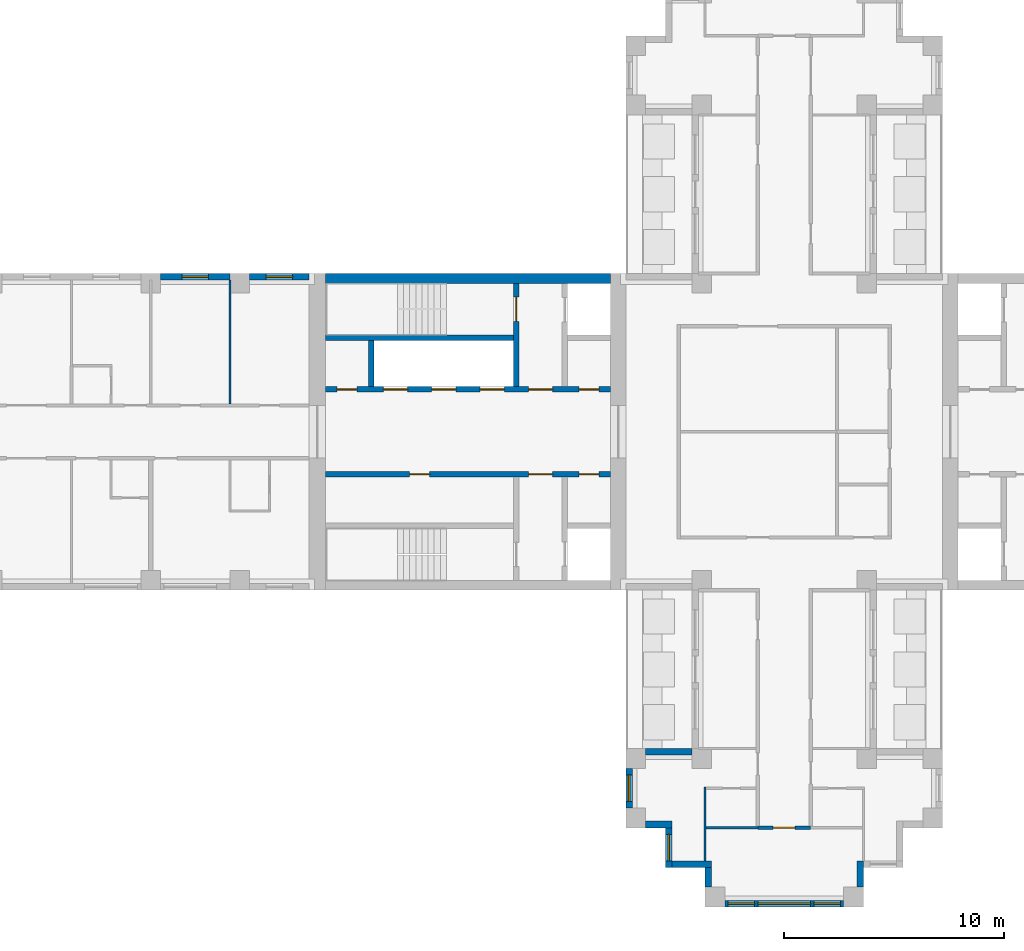
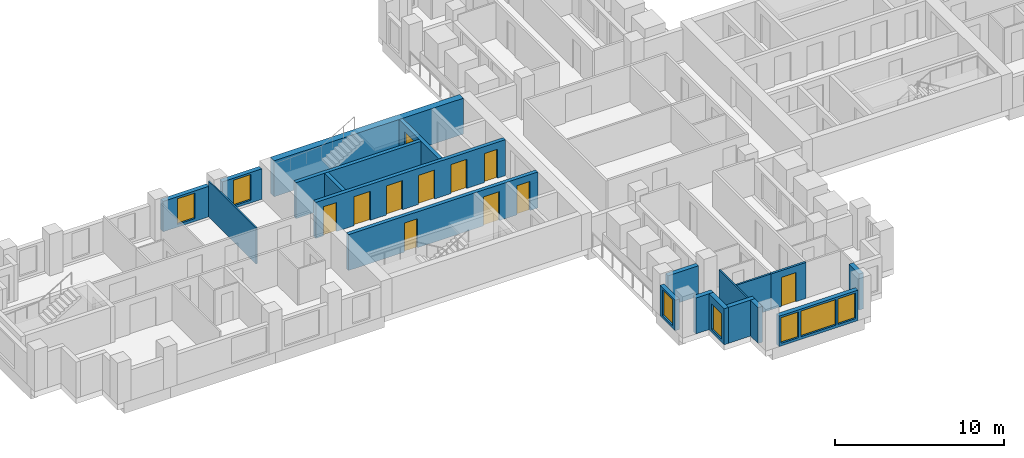
# One storey, part 4 of 12: 20 walls, 11 doors, 7 windows, 18 openings.
"""IFC4 building model written with IfcOpenShell, lengths in metres."""

from ifc_helpers import new_model, si_unit, direction, frame, frame_2d, origin, place, context, subcontext, project, spatial, rectangle, extrude, material, layer, layer_set, type_object, element, fill, save


model = new_model("IFC4")

# Units and contexts
model_context = context("Model", 3, precision=1e-05, world=origin(), true_north=direction((0.0, 1.0)))
body_context = subcontext(model_context, "Body", "Model", "MODEL_VIEW")
ifc_project = project(units=[si_unit("LENGTHUNIT", "METRE"), si_unit("AREAUNIT", "SQUARE_METRE"), si_unit("VOLUMEUNIT", "CUBIC_METRE"), si_unit("PLANEANGLEUNIT", "RADIAN"), si_unit("MASSUNIT", "GRAM", prefix="KILO")], contexts=[model_context])

# Site, building, storey
site_placement = place(None, origin())
site = spatial("IfcSite", under=ifc_project, at=site_placement, CompositionType="ELEMENT")
building_placement = place(site_placement, origin())
building = spatial("IfcBuilding", under=site, at=building_placement, Name="Fustian Cross Tower", CompositionType="ELEMENT")
storey_placement = place(building_placement, frame((0.0, 0.0, 132.300048828125)))
storey = spatial("IfcBuildingStorey", under=building, at=storey_placement, Name="L41", CompositionType="ELEMENT", Elevation=132.300048828125)

# Wall, opening, door
ifc_material_1 = material(Name="Plasterboard on steel stud", Category="steel")
ifc_layer_1 = layer(ifc_material_1, 0.14990234375)
ifc_layer_set_1 = layer_set([ifc_layer_1], Name="Plasterboard on steel stud")
wall_type_1 = type_object("IfcWallType", Name="COMPARTMENT WALL 150 EI 60", PredefinedType="PARTITIONING", material=ifc_layer_set_1)
wall_1_placement = place(storey_placement, frame((-1.199951171875, -18.0, 0.0), z_axis=(0.0, 0.0, 1.0), x_axis=(1.0, 0.0, 0.0)))
wall_1 = element("IfcWall", 1, at=wall_1_placement, inside=storey, type_object=wall_type_1, Name="Partition 30", PredefinedType="PARTITIONING", context=body_context, shape_type="SweptSolid", body=[
    extrude(rectangle(XDim=2.39990234375, YDim=0.14990234375, at=frame_2d((1.199951171875, 0.0))), origin(), (0.0, 0.0, 1.0), 2.599853515625),
])
opening_1_placement = place(wall_1_placement, frame((0.699951171875, 0.0, 0.0)))
opening_1 = element("IfcOpeningElement", 2, at=opening_1_placement, cuts=wall_1, Name="Opening D19030", PredefinedType="OPENING", context=body_context, shape_type="SweptSolid", body=[
    extrude(rectangle(XDim=1.0, YDim=2.10009765625, at=frame_2d((0.5, 1.050048828125))), frame((0.0, 0.0849609375, 0.0), z_axis=(0.0, -1.0, 0.0), x_axis=(1.0, 0.0, 0.0)), (0.0, 0.0, 1.0), 0.169921875),
])
ifc_material_2 = material(Name="Timber fire door set", Category="wood")
door_type_1 = type_object("IfcDoorType", Name="FIRE SWING DOOR 1000 FD30S", OperationType="SINGLE_SWING_LEFT", PredefinedType="DOOR", material=ifc_material_2)
door_1_placement = place(opening_1_placement, frame((1.0, 0.0, 0.0), z_axis=(0.0, 0.0, 1.0), x_axis=(-1.0, 0.0, 0.0)))
door_1 = element("IfcDoor", 3, at=door_1_placement, inside=storey, type_object=door_type_1, Name="Door D19030", OperationType="SINGLE_SWING_RIGHT", OverallHeight=2.10009765625, OverallWidth=1.0, PredefinedType="DOOR", context=body_context, shape_type="SweptSolid", body=[
    extrude(rectangle(XDim=1.0, YDim=2.10009765625, at=frame_2d((0.5, 1.050048828125))), frame((0.0, 0.02490234375, 0.0), z_axis=(0.0, -1.0, 0.0), x_axis=(1.0, 0.0, 0.0)), (0.0, 0.0, 1.0), 0.050048828125),
])
fill(opening_1, door_1)

# Wall
ifc_material_3 = material(Name="Concrete C60/75", Category="concrete")
ifc_layer_2 = layer(ifc_material_3, 0.449951171875)
ifc_layer_set_2 = layer_set([ifc_layer_2], Name="Concrete C60/75")
wall_type_2 = type_object("IfcWallType", Name="CORE FACADE WALL 450 C60/75", PredefinedType="SHEAR", material=ifc_layer_set_2)
wall_2_placement = place(storey_placement, frame((-7.89990234375, 6.97509765625, 0.0), z_axis=(0.0, 0.0, 1.0), x_axis=(-1.0, 0.0, 0.0)))
element("IfcWall", 4, at=wall_2_placement, inside=storey, type_object=wall_type_2, Name="Core facade wall", PredefinedType="SHEAR", context=body_context, shape_type="SweptSolid", body=[
    extrude(rectangle(XDim=12.9501953125, YDim=0.449951171875, at=frame_2d((6.47509765625, 0.0))), origin(), (0.0, 0.0, 1.0), 2.599853515625),
])

# Wall, openings, doors
ifc_material_4 = material(Name="Concrete C50/60", Category="concrete")
ifc_layer_3 = layer(ifc_material_4, 0.25)
ifc_layer_set_3 = layer_set([ifc_layer_3], Name="Concrete C50/60")
wall_type_3 = type_object("IfcWallType", Name="CORE LOBBY WALL 250 C50/60", PredefinedType="SHEAR", material=ifc_layer_set_3)
wall_3_placement = place(storey_placement, frame((-7.89990234375, 1.925048828125, 0.0), z_axis=(0.0, 0.0, 1.0), x_axis=(-1.0, 0.0, 0.0)))
wall_3 = element("IfcWall", 5, at=wall_3_placement, inside=storey, type_object=wall_type_3, Name="Core lobby wall", PredefinedType="SHEAR", context=body_context, shape_type="SweptSolid", body=[
    extrude(rectangle(XDim=12.9501953125, YDim=0.25, at=frame_2d((6.47509765625, 0.0))), origin(), (0.0, 0.0, 1.0), 2.599853515625),
])
opening_2_placement = place(wall_3_placement, frame((4.824951171875, 0.0, 0.0)))
opening_2 = element("IfcOpeningElement", 6, at=opening_2_placement, cuts=wall_3, Name="Opening LD", PredefinedType="OPENING", context=body_context, shape_type="SweptSolid", body=[
    extrude(rectangle(XDim=1.10009765625, YDim=2.10009765625, at=frame_2d((0.550048828125, 1.050048828125))), frame((0.0, 0.135009765625, 0.0), z_axis=(0.0, -1.0, 0.0), x_axis=(1.0, 0.0, 0.0)), (0.0, 0.0, 1.0), 0.27001953125),
])
opening_3_placement = place(wall_3_placement, frame((7.02490234375, 0.0, 0.0)))
opening_3 = element("IfcOpeningElement", 7, at=opening_3_placement, cuts=wall_3, Name="Opening LD", PredefinedType="OPENING", context=body_context, shape_type="SweptSolid", body=[
    extrude(rectangle(XDim=1.10009765625, YDim=2.10009765625, at=frame_2d((0.550048828125, 1.050048828125))), frame((0.0, 0.135009765625, 0.0), z_axis=(0.0, -1.0, 0.0), x_axis=(1.0, 0.0, 0.0)), (0.0, 0.0, 1.0), 0.27001953125),
])
opening_4_placement = place(wall_3_placement, frame((9.22509765625, 0.0, 0.0)))
opening_4 = element("IfcOpeningElement", 8, at=opening_4_placement, cuts=wall_3, Name="Opening LD", PredefinedType="OPENING", context=body_context, shape_type="SweptSolid", body=[
    extrude(rectangle(XDim=1.10009765625, YDim=2.10009765625, at=frame_2d((0.550048828125, 1.050048828125))), frame((0.0, 0.135009765625, 0.0), z_axis=(0.0, -1.0, 0.0), x_axis=(1.0, 0.0, 0.0)), (0.0, 0.0, 1.0), 0.27001953125),
])
opening_5_placement = place(wall_3_placement, frame((0.52490234375, 0.0, 0.0)))
opening_5 = element("IfcOpeningElement", 9, at=opening_5_placement, cuts=wall_3, Name="Opening CD-17-23", PredefinedType="OPENING", context=body_context, shape_type="SweptSolid", body=[
    extrude(rectangle(XDim=0.89990234375, YDim=2.10009765625, at=frame_2d((0.449951171875, 1.050048828125))), frame((0.0, 0.135009765625, 0.0), z_axis=(0.0, -1.0, 0.0), x_axis=(1.0, 0.0, 0.0)), (0.0, 0.0, 1.0), 0.27001953125),
])
opening_6_placement = place(wall_3_placement, frame((2.625, 0.0, 0.0)))
opening_6 = element("IfcOpeningElement", 10, at=opening_6_placement, cuts=wall_3, Name="Opening CD-17-25", PredefinedType="OPENING", context=body_context, shape_type="SweptSolid", body=[
    extrude(rectangle(XDim=1.10009765625, YDim=2.10009765625, at=frame_2d((0.550048828125, 1.050048828125))), frame((0.0, 0.135009765625, 0.0), z_axis=(0.0, -1.0, 0.0), x_axis=(1.0, 0.0, 0.0)), (0.0, 0.0, 1.0), 0.27001953125),
])
opening_7_placement = place(wall_3_placement, frame((11.52490234375, 0.0, 0.0)))
opening_7 = element("IfcOpeningElement", 11, at=opening_7_placement, cuts=wall_3, Name="Opening CD-17-29", PredefinedType="OPENING", context=body_context, shape_type="SweptSolid", body=[
    extrude(rectangle(XDim=0.89990234375, YDim=2.10009765625, at=frame_2d((0.449951171875, 1.050048828125))), frame((0.0, 0.135009765625, 0.0), z_axis=(0.0, -1.0, 0.0), x_axis=(1.0, 0.0, 0.0)), (0.0, 0.0, 1.0), 0.27001953125),
])
ifc_material_5 = material(Name="Steel", Category="steel")
door_type_2 = type_object("IfcDoorType", Name="FIRE DOOR FD30S 900X2100", OperationType="SINGLE_SWING_LEFT", PredefinedType="DOOR", material=ifc_material_5)
door_2_placement = place(opening_7_placement, frame((0.89990234375, 0.0, 0.0), z_axis=(0.0, 0.0, 1.0), x_axis=(-1.0, 0.0, 0.0)))
door_2 = element("IfcDoor", 12, at=door_2_placement, inside=storey, type_object=door_type_2, Name="Core door CD-17-29", OperationType="SINGLE_SWING_RIGHT", OverallHeight=2.10009765625, OverallWidth=0.89990234375, PredefinedType="DOOR", context=body_context, shape_type="SweptSolid", body=[
    extrude(rectangle(XDim=0.89990234375, YDim=2.10009765625, at=frame_2d((0.449951171875, 1.050048828125))), frame((0.0, 0.02490234375, 0.0), z_axis=(0.0, -1.0, 0.0), x_axis=(1.0, 0.0, 0.0)), (0.0, 0.0, 1.0), 0.050048828125),
])
fill(opening_7, door_2)
ifc_material_6 = material(Name="Steel", Category="steel")
door_type_3 = type_object("IfcDoorType", Name="FIRE DOOR FD60S 1100X2100", OperationType="SINGLE_SWING_LEFT", PredefinedType="DOOR", material=ifc_material_6)
door_3_placement = place(opening_6_placement, frame((1.10009765625, 0.0, 0.0), z_axis=(0.0, 0.0, 1.0), x_axis=(-1.0, 0.0, 0.0)))
door_3 = element("IfcDoor", 13, at=door_3_placement, inside=storey, type_object=door_type_3, Name="Core door CD-17-25", OperationType="SINGLE_SWING_RIGHT", OverallHeight=2.10009765625, OverallWidth=1.10009765625, PredefinedType="DOOR", context=body_context, shape_type="SweptSolid", body=[
    extrude(rectangle(XDim=1.10009765625, YDim=2.10009765625, at=frame_2d((0.550048828125, 1.050048828125))), frame((0.0, 0.02490234375, 0.0), z_axis=(0.0, -1.0, 0.0), x_axis=(1.0, 0.0, 0.0)), (0.0, 0.0, 1.0), 0.050048828125),
])
fill(opening_6, door_3)
ifc_material_7 = material(Name="Steel", Category="steel")
door_type_4 = type_object("IfcDoorType", Name="FIRE DOOR FD60S 900X2100", OperationType="SINGLE_SWING_LEFT", PredefinedType="DOOR", material=ifc_material_7)
door_4_placement = place(opening_5_placement, frame((0.89990234375, 0.0, 0.0), z_axis=(0.0, 0.0, 1.0), x_axis=(-1.0, 0.0, 0.0)))
door_4 = element("IfcDoor", 14, at=door_4_placement, inside=storey, type_object=door_type_4, Name="Core door CD-17-23", OperationType="SINGLE_SWING_RIGHT", OverallHeight=2.10009765625, OverallWidth=0.89990234375, PredefinedType="DOOR", context=body_context, shape_type="SweptSolid", body=[
    extrude(rectangle(XDim=0.89990234375, YDim=2.10009765625, at=frame_2d((0.449951171875, 1.050048828125))), frame((0.0, 0.02490234375, 0.0), z_axis=(0.0, -1.0, 0.0), x_axis=(1.0, 0.0, 0.0)), (0.0, 0.0, 1.0), 0.050048828125),
])
fill(opening_5, door_4)
ifc_material_8 = material(Name="Stainless steel", Category="steel")
door_type_5 = type_object("IfcDoorType", Name="LIFT LANDING DOOR 1100X2100", OperationType="SLIDING_TO_LEFT", PredefinedType="DOOR", material=ifc_material_8)
door_5_placement = place(opening_2_placement, origin())
door_5 = element("IfcDoor", 15, at=door_5_placement, inside=storey, type_object=door_type_5, Name="Landing door HR1W", OperationType="SLIDING_TO_LEFT", OverallHeight=2.10009765625, OverallWidth=1.10009765625, PredefinedType="DOOR", context=body_context, shape_type="SweptSolid", body=[
    extrude(rectangle(XDim=1.10009765625, YDim=2.10009765625, at=frame_2d((0.550048828125, 1.050048828125))), frame((0.0, 0.02490234375, 0.0), z_axis=(0.0, -1.0, 0.0), x_axis=(1.0, 0.0, 0.0)), (0.0, 0.0, 1.0), 0.050048828125),
])
fill(opening_2, door_5)
door_6_placement = place(opening_3_placement, origin())
door_6 = element("IfcDoor", 16, at=door_6_placement, inside=storey, type_object=door_type_5, Name="Landing door HR2W", OperationType="SLIDING_TO_LEFT", OverallHeight=2.10009765625, OverallWidth=1.10009765625, PredefinedType="DOOR", context=body_context, shape_type="SweptSolid", body=[
    extrude(rectangle(XDim=1.10009765625, YDim=2.10009765625, at=frame_2d((0.550048828125, 1.050048828125))), frame((0.0, 0.02490234375, 0.0), z_axis=(0.0, -1.0, 0.0), x_axis=(1.0, 0.0, 0.0)), (0.0, 0.0, 1.0), 0.050048828125),
])
fill(opening_3, door_6)
door_7_placement = place(opening_4_placement, origin())
door_7 = element("IfcDoor", 17, at=door_7_placement, inside=storey, type_object=door_type_5, Name="Landing door HR3W", OperationType="SLIDING_TO_LEFT", OverallHeight=2.10009765625, OverallWidth=1.10009765625, PredefinedType="DOOR", context=body_context, shape_type="SweptSolid", body=[
    extrude(rectangle(XDim=1.10009765625, YDim=2.10009765625, at=frame_2d((0.550048828125, 1.050048828125))), frame((0.0, 0.02490234375, 0.0), z_axis=(0.0, -1.0, 0.0), x_axis=(1.0, 0.0, 0.0)), (0.0, 0.0, 1.0), 0.050048828125),
])
fill(opening_4, door_7)

wall_4_placement = place(storey_placement, frame((-7.89990234375, -1.925048828125, 0.0), z_axis=(0.0, 0.0, 1.0), x_axis=(-1.0, 0.0, 0.0)))
wall_4 = element("IfcWall", 18, at=wall_4_placement, inside=storey, type_object=wall_type_3, Name="Core lobby wall", PredefinedType="SHEAR", context=body_context, shape_type="SweptSolid", body=[
    extrude(rectangle(XDim=12.9501953125, YDim=0.25, at=frame_2d((6.47509765625, 0.0))), origin(), (0.0, 0.0, 1.0), 2.599853515625),
])
opening_8_placement = place(wall_4_placement, frame((0.52490234375, 0.0, 0.0)))
opening_8 = element("IfcOpeningElement", 19, at=opening_8_placement, cuts=wall_4, Name="Opening CD-17-24", PredefinedType="OPENING", context=body_context, shape_type="SweptSolid", body=[
    extrude(rectangle(XDim=0.89990234375, YDim=2.10009765625, at=frame_2d((0.449951171875, 1.050048828125))), frame((0.0, 0.135009765625, 0.0), z_axis=(0.0, -1.0, 0.0), x_axis=(1.0, 0.0, 0.0)), (0.0, 0.0, 1.0), 0.27001953125),
])
opening_9_placement = place(wall_4_placement, frame((2.625, 0.0, 0.0)))
opening_9 = element("IfcOpeningElement", 20, at=opening_9_placement, cuts=wall_4, Name="Opening CD-17-26", PredefinedType="OPENING", context=body_context, shape_type="SweptSolid", body=[
    extrude(rectangle(XDim=1.10009765625, YDim=2.10009765625, at=frame_2d((0.550048828125, 1.050048828125))), frame((0.0, 0.135009765625, 0.0), z_axis=(0.0, -1.0, 0.0), x_axis=(1.0, 0.0, 0.0)), (0.0, 0.0, 1.0), 0.27001953125),
])
opening_10_placement = place(wall_4_placement, frame((8.22509765625, 0.0, 0.0)))
opening_10 = element("IfcOpeningElement", 21, at=opening_10_placement, cuts=wall_4, Name="Opening CD-17-30", PredefinedType="OPENING", context=body_context, shape_type="SweptSolid", body=[
    extrude(rectangle(XDim=0.89990234375, YDim=2.10009765625, at=frame_2d((0.449951171875, 1.050048828125))), frame((0.0, 0.135009765625, 0.0), z_axis=(0.0, -1.0, 0.0), x_axis=(1.0, 0.0, 0.0)), (0.0, 0.0, 1.0), 0.27001953125),
])
ifc_material_9 = material(Name="Steel", Category="steel")
door_type_6 = type_object("IfcDoorType", Name="FIRE DOOR FD30S 1100X2100", OperationType="SINGLE_SWING_LEFT", PredefinedType="DOOR", material=ifc_material_9)
door_8_placement = place(opening_9_placement, frame((1.10009765625, 0.0, 0.0), z_axis=(0.0, 0.0, 1.0), x_axis=(-1.0, 0.0, 0.0)))
door_8 = element("IfcDoor", 22, at=door_8_placement, inside=storey, type_object=door_type_6, Name="Core door CD-17-26", OperationType="SINGLE_SWING_RIGHT", OverallHeight=2.10009765625, OverallWidth=1.10009765625, PredefinedType="DOOR", context=body_context, shape_type="SweptSolid", body=[
    extrude(rectangle(XDim=1.10009765625, YDim=2.10009765625, at=frame_2d((0.550048828125, 1.050048828125))), frame((0.0, 0.02490234375, 0.0), z_axis=(0.0, -1.0, 0.0), x_axis=(1.0, 0.0, 0.0)), (0.0, 0.0, 1.0), 0.050048828125),
])
fill(opening_9, door_8)
door_9_placement = place(opening_8_placement, origin())
door_9 = element("IfcDoor", 23, at=door_9_placement, inside=storey, type_object=door_type_2, Name="Core door CD-17-24", OperationType="SINGLE_SWING_LEFT", OverallHeight=2.10009765625, OverallWidth=0.89990234375, PredefinedType="DOOR", context=body_context, shape_type="SweptSolid", body=[
    extrude(rectangle(XDim=0.89990234375, YDim=2.10009765625, at=frame_2d((0.449951171875, 1.050048828125))), frame((0.0, 0.02490234375, 0.0), z_axis=(0.0, -1.0, 0.0), x_axis=(1.0, 0.0, 0.0)), (0.0, 0.0, 1.0), 0.050048828125),
])
fill(opening_8, door_9)
door_10_placement = place(opening_10_placement, origin())
door_10 = element("IfcDoor", 24, at=door_10_placement, inside=storey, type_object=door_type_2, Name="Core door CD-17-30", OperationType="SINGLE_SWING_RIGHT", OverallHeight=2.10009765625, OverallWidth=0.89990234375, PredefinedType="DOOR", context=body_context, shape_type="SweptSolid", body=[
    extrude(rectangle(XDim=0.89990234375, YDim=2.10009765625, at=frame_2d((0.449951171875, 1.050048828125))), frame((0.0, 0.02490234375, 0.0), z_axis=(0.0, -1.0, 0.0), x_axis=(1.0, 0.0, 0.0)), (0.0, 0.0, 1.0), 0.050048828125),
])
fill(opening_10, door_10)

# Wall
ifc_material_10 = material(Name="Concrete C50/60", Category="concrete")
ifc_layer_4 = layer(ifc_material_10, 0.25)
ifc_layer_set_4 = layer_set([ifc_layer_4], Name="Concrete C50/60")
wall_type_4 = type_object("IfcWallType", Name="CORE SHAFT WALL 250 C50/60", PredefinedType="SHEAR", material=ifc_layer_set_4)
wall_5_placement = place(storey_placement, frame((-12.300048828125, 4.27490234375, 0.0), z_axis=(0.0, 0.0, 1.0), x_axis=(-1.0, 0.0, 0.0)))
element("IfcWall", 25, at=wall_5_placement, inside=storey, type_object=wall_type_4, Name="Core shaft wall", PredefinedType="SHEAR", context=body_context, shape_type="SweptSolid", body=[
    extrude(rectangle(XDim=8.550048828125, YDim=0.25, at=frame_2d((4.27490234375, 0.0))), origin(), (0.0, 0.0, 1.0), 2.599853515625),
])

# Wall, opening, door
wall_6_placement = place(storey_placement, frame((-12.175048828125, 2.050048828125, 0.0), z_axis=(0.0, 0.0, 1.0), x_axis=(0.0, 1.0, 0.0)))
wall_6 = element("IfcWall", 26, at=wall_6_placement, inside=storey, type_object=wall_type_4, Name="Core shaft wall", PredefinedType="SHEAR", context=body_context, shape_type="SweptSolid", body=[
    extrude(rectangle(XDim=4.699951171875, YDim=0.25, at=frame_2d((2.35009765625, 0.0))), origin(), (0.0, 0.0, 1.0), 2.599853515625),
])
opening_11_placement = place(wall_6_placement, frame((2.97509765625, 0.0, 0.0)))
opening_11 = element("IfcOpeningElement", 27, at=opening_11_placement, cuts=wall_6, Name="Opening CD-17-21", PredefinedType="OPENING", context=body_context, shape_type="SweptSolid", body=[
    extrude(rectangle(XDim=1.10009765625, YDim=2.10009765625, at=frame_2d((0.550048828125, 1.050048828125))), frame((0.0, 0.135009765625, 0.0), z_axis=(0.0, -1.0, 0.0), x_axis=(1.0, 0.0, 0.0)), (0.0, 0.0, 1.0), 0.27001953125),
])
door_11_placement = place(opening_11_placement, origin())
door_11 = element("IfcDoor", 28, at=door_11_placement, inside=storey, type_object=door_type_3, Name="Core door CD-17-21", OperationType="SINGLE_SWING_LEFT", OverallHeight=2.10009765625, OverallWidth=1.10009765625, PredefinedType="DOOR", context=body_context, shape_type="SweptSolid", body=[
    extrude(rectangle(XDim=1.10009765625, YDim=2.10009765625, at=frame_2d((0.550048828125, 1.050048828125))), frame((0.0, 0.02490234375, 0.0), z_axis=(0.0, -1.0, 0.0), x_axis=(1.0, 0.0, 0.0)), (0.0, 0.0, 1.0), 0.050048828125),
])
fill(opening_11, door_11)

# Walls
ifc_material_11 = material(Name="Plasterboard on steel stud", Category="steel")
ifc_layer_5 = layer(ifc_material_11, 0.10009765625)
ifc_layer_set_5 = layer_set([ifc_layer_5], Name="Plasterboard on steel stud")
wall_type_5 = type_object("IfcWallType", Name="PARTITION 100 STUD", PredefinedType="PARTITIONING", material=ifc_layer_set_5)
wall_7_placement = place(storey_placement, frame((-25.199951171875, 1.27490234375, 0.0), z_axis=(0.0, 0.0, 1.0), x_axis=(0.0, 1.0, 0.0)))
element("IfcWall", 29, at=wall_7_placement, inside=storey, type_object=wall_type_5, Name="Partition 14", PredefinedType="PARTITIONING", context=body_context, shape_type="SweptSolid", body=[
    extrude(rectangle(XDim=5.625, YDim=0.10009765625, at=frame_2d((2.8125, 0.0))), origin(), (0.0, 0.0, 1.0), 2.599853515625),
])
wall_8_placement = place(storey_placement, frame((-3.60009765625, -19.5, 0.0), z_axis=(0.0, 0.0, 1.0), x_axis=(0.0, 1.0, 0.0)))
element("IfcWall", 30, at=wall_8_placement, inside=storey, type_object=wall_type_5, Name="Partition 24", PredefinedType="PARTITIONING", context=body_context, shape_type="SweptSolid", body=[
    extrude(rectangle(XDim=3.35009765625, YDim=0.10009765625, at=frame_2d((1.675048828125, 0.0))), origin(), (0.0, 0.0, 1.0), 2.599853515625),
])
ifc_material_12 = material(Name="Concrete C40/50", Category="concrete")
ifc_layer_6 = layer(ifc_material_12, 0.25)
ifc_layer_set_6 = layer_set([ifc_layer_6], Name="Concrete C40/50")
wall_type_6 = type_object("IfcWallType", Name="SHAFT PARTITION WALL 250 C40/50", PredefinedType="PARTITIONING", material=ifc_layer_set_6)
wall_9_placement = place(storey_placement, frame((-18.77490234375, 2.050048828125, 0.0), z_axis=(0.0, 0.0, 1.0), x_axis=(0.0, 1.0, 0.0)))
element("IfcWall", 31, at=wall_9_placement, inside=storey, type_object=wall_type_6, Name="Core shaft wall", PredefinedType="PARTITIONING", context=body_context, shape_type="SweptSolid", body=[
    extrude(rectangle(XDim=2.099853515625, YDim=0.25, at=frame_2d((1.0498046875, 0.0))), origin(), (0.0, 0.0, 1.0), 2.599853515625),
])
ifc_material_13 = material(Name="Plasterboard on steel stud", Category="steel")
ifc_layer_7 = layer(ifc_material_13, 0.125)
ifc_layer_set_7 = layer_set([ifc_layer_7], Name="Plasterboard on steel stud")
wall_type_7 = type_object("IfcWallType", Name="WET WALL 125 STUD", PredefinedType="PARTITIONING", material=ifc_layer_set_7)
wall_10_placement = place(storey_placement, frame((-3.550048828125, -18.0, 0.0), z_axis=(0.0, 0.0, 1.0), x_axis=(1.0, 0.0, 0.0)))
element("IfcWall", 32, at=wall_10_placement, inside=storey, type_object=wall_type_7, Name="Partition 25", PredefinedType="PARTITIONING", context=body_context, shape_type="SweptSolid", body=[
    extrude(rectangle(XDim=2.35009765625, YDim=0.125, at=frame_2d((1.175048828125, 0.0))), origin(), (0.0, 0.0, 1.0), 2.599853515625),
])

# Wall, opening, window
ifc_material_14 = material(Name="Dark aluminium cladding on insulated backing wall", Category="aluminium")
ifc_layer_8 = layer(ifc_material_14, 0.300048828125)
ifc_layer_set_8 = layer_set([ifc_layer_8], Name="Dark aluminium cladding on insulated backing wall")
wall_type_8 = type_object("IfcWallType", Name="XW1 EXTERNAL WALL 300", PredefinedType="SOLIDWALL", material=ifc_layer_set_8)
wall_11_placement = place(storey_placement, frame((-21.60009765625, 7.050048828125, 0.0), z_axis=(0.0, 0.0, 1.0), x_axis=(-1.0, 0.0, 0.0)))
wall_11 = element("IfcWall", 33, at=wall_11_placement, inside=storey, type_object=wall_type_8, Name="External wall", PredefinedType="SOLIDWALL", context=body_context, shape_type="SweptSolid", body=[
    extrude(rectangle(XDim=2.699951171875, YDim=0.300048828125, at=frame_2d((1.35009765625, 0.0))), origin(), (0.0, 0.0, 1.0), 2.199951171875),
])
opening_12_placement = place(wall_11_placement, frame((0.75, 0.0, 0.199951171875)))
opening_12 = element("IfcOpeningElement", 34, at=opening_12_placement, cuts=wall_11, Name="Opening WN3", PredefinedType="OPENING", context=body_context, shape_type="SweptSolid", body=[
    extrude(rectangle(XDim=1.199951171875, YDim=1.85009765625, at=frame_2d((0.60009765625, 0.925048828125))), frame((0.0, 0.159912109375, 0.0), z_axis=(0.0, -1.0, 0.0), x_axis=(1.0, 0.0, 0.0)), (0.0, 0.0, 1.0), 0.320068359375),
])
ifc_material_15 = material(Name="Dark anodised aluminium and double glazing", Category="aluminium")
window_type_1 = type_object("IfcWindowType", Name="WN3 WINDOW 1200X1850", PartitioningType="SINGLE_PANEL", PredefinedType="WINDOW", material=ifc_material_15)
window_1_placement = place(opening_12_placement, origin())
window_1 = element("IfcWindow", 35, at=window_1_placement, inside=storey, type_object=window_type_1, Name="Window", OverallHeight=1.85009765625, OverallWidth=1.199951171875, PartitioningType="SINGLE_PANEL", PredefinedType="WINDOW", context=body_context, shape_type="SweptSolid", body=[
    extrude(rectangle(XDim=1.199951171875, YDim=1.85009765625, at=frame_2d((0.60009765625, 0.925048828125))), frame((0.0, 0.030029296875, 0.0), z_axis=(0.0, -1.0, 0.0), x_axis=(1.0, 0.0, 0.0)), (0.0, 0.0, 1.0), 0.06005859375),
])
fill(opening_12, window_1)

wall_12_placement = place(storey_placement, frame((-25.199951171875, 7.050048828125, 0.0), z_axis=(0.0, 0.0, 1.0), x_axis=(-1.0, 0.0, 0.0)))
wall_12 = element("IfcWall", 36, at=wall_12_placement, inside=storey, type_object=wall_type_8, Name="External wall", PredefinedType="SOLIDWALL", context=body_context, shape_type="SweptSolid", body=[
    extrude(rectangle(XDim=3.150146484375, YDim=0.300048828125, at=frame_2d((1.5751953125, 0.0))), origin(), (0.0, 0.0, 1.0), 2.199951171875),
])
opening_13_placement = place(wall_12_placement, frame((0.97509765625, 0.0, 0.199951171875)))
opening_13 = element("IfcOpeningElement", 37, at=opening_13_placement, cuts=wall_12, Name="Opening WN3", PredefinedType="OPENING", context=body_context, shape_type="SweptSolid", body=[
    extrude(rectangle(XDim=1.199951171875, YDim=1.85009765625, at=frame_2d((0.60009765625, 0.925048828125))), frame((0.0, 0.159912109375, 0.0), z_axis=(0.0, -1.0, 0.0), x_axis=(1.0, 0.0, 0.0)), (0.0, 0.0, 1.0), 0.320068359375),
])
window_2_placement = place(opening_13_placement, origin())
window_2 = element("IfcWindow", 38, at=window_2_placement, inside=storey, type_object=window_type_1, Name="Window", OverallHeight=1.85009765625, OverallWidth=1.199951171875, PartitioningType="SINGLE_PANEL", PredefinedType="WINDOW", context=body_context, shape_type="SweptSolid", body=[
    extrude(rectangle(XDim=1.199951171875, YDim=1.85009765625, at=frame_2d((0.60009765625, 0.925048828125))), frame((0.0, 0.030029296875, 0.0), z_axis=(0.0, -1.0, 0.0), x_axis=(1.0, 0.0, 0.0)), (0.0, 0.0, 1.0), 0.06005859375),
])
fill(opening_13, window_2)

# Wall
wall_13_placement = place(storey_placement, frame((-4.199951171875, -14.550048828125, 0.0), z_axis=(0.0, 0.0, 1.0), x_axis=(-1.0, 0.0, 0.0)))
element("IfcWall", 39, at=wall_13_placement, inside=storey, type_object=wall_type_8, Name="External wall", PredefinedType="SOLIDWALL", context=body_context, shape_type="SweptSolid", body=[
    extrude(rectangle(XDim=2.10009765625, YDim=0.300048828125, at=frame_2d((1.050048828125, 0.0))), origin(), (0.0, 0.0, 1.0), 2.199951171875),
])

# Wall, opening, window
wall_14_placement = place(storey_placement, frame((-7.050048828125, -15.300048828125, 0.0), z_axis=(0.0, 0.0, 1.0), x_axis=(0.0, -1.0, 0.0)))
wall_14 = element("IfcWall", 40, at=wall_14_placement, inside=storey, type_object=wall_type_8, Name="External wall", PredefinedType="SOLIDWALL", context=body_context, shape_type="SweptSolid", body=[
    extrude(rectangle(XDim=1.800048828125, YDim=0.300048828125, at=frame_2d((0.89990234375, 0.0))), origin(), (0.0, 0.0, 1.0), 2.199951171875),
])
opening_14_placement = place(wall_14_placement, frame((0.300048828125, 0.0, 0.199951171875)))
opening_14 = element("IfcOpeningElement", 41, at=opening_14_placement, cuts=wall_14, Name="Opening WN3", PredefinedType="OPENING", context=body_context, shape_type="SweptSolid", body=[
    extrude(rectangle(XDim=1.199951171875, YDim=1.85009765625, at=frame_2d((0.60009765625, 0.925048828125))), frame((0.0, 0.159912109375, 0.0), z_axis=(0.0, -1.0, 0.0), x_axis=(1.0, 0.0, 0.0)), (0.0, 0.0, 1.0), 0.320068359375),
])
window_3_placement = place(opening_14_placement, origin())
window_3 = element("IfcWindow", 42, at=window_3_placement, inside=storey, type_object=window_type_1, Name="Window", OverallHeight=1.85009765625, OverallWidth=1.199951171875, PartitioningType="SINGLE_PANEL", PredefinedType="WINDOW", context=body_context, shape_type="SweptSolid", body=[
    extrude(rectangle(XDim=1.199951171875, YDim=1.85009765625, at=frame_2d((0.60009765625, 0.925048828125))), frame((0.0, 0.030029296875, 0.0), z_axis=(0.0, -1.0, 0.0), x_axis=(1.0, 0.0, 0.0)), (0.0, 0.0, 1.0), 0.06005859375),
])
fill(opening_14, window_3)

# Wall
wall_15_placement = place(storey_placement, frame((-6.300048828125, -17.85009765625, 0.0), z_axis=(0.0, 0.0, 1.0), x_axis=(1.0, 0.0, 0.0)))
element("IfcWall", 43, at=wall_15_placement, inside=storey, type_object=wall_type_8, Name="External wall", PredefinedType="SOLIDWALL", context=body_context, shape_type="SweptSolid", body=[
    extrude(rectangle(XDim=1.199951171875, YDim=0.300048828125, at=frame_2d((0.60009765625, 0.0))), origin(), (0.0, 0.0, 1.0), 2.599853515625),
])

# Wall, opening, window
wall_16_placement = place(storey_placement, frame((-5.25, -18.0, 0.0), z_axis=(0.0, 0.0, 1.0), x_axis=(0.0, -1.0, 0.0)))
wall_16 = element("IfcWall", 44, at=wall_16_placement, inside=storey, type_object=wall_type_8, Name="External wall", PredefinedType="SOLIDWALL", context=body_context, shape_type="SweptSolid", body=[
    extrude(rectangle(XDim=1.800048828125, YDim=0.300048828125, at=frame_2d((0.89990234375, 0.0))), origin(), (0.0, 0.0, 1.0), 2.599853515625),
])
opening_15_placement = place(wall_16_placement, frame((0.300048828125, 0.0, 0.199951171875)))
opening_15 = element("IfcOpeningElement", 45, at=opening_15_placement, cuts=wall_16, Name="Opening WN3", PredefinedType="OPENING", context=body_context, shape_type="SweptSolid", body=[
    extrude(rectangle(XDim=1.199951171875, YDim=1.85009765625, at=frame_2d((0.60009765625, 0.925048828125))), frame((0.0, 0.159912109375, 0.0), z_axis=(0.0, -1.0, 0.0), x_axis=(1.0, 0.0, 0.0)), (0.0, 0.0, 1.0), 0.320068359375),
])
window_4_placement = place(opening_15_placement, origin())
window_4 = element("IfcWindow", 46, at=window_4_placement, inside=storey, type_object=window_type_1, Name="Window", OverallHeight=1.85009765625, OverallWidth=1.199951171875, PartitioningType="SINGLE_PANEL", PredefinedType="WINDOW", context=body_context, shape_type="SweptSolid", body=[
    extrude(rectangle(XDim=1.199951171875, YDim=1.85009765625, at=frame_2d((0.60009765625, 0.925048828125))), frame((0.0, 0.030029296875, 0.0), z_axis=(0.0, -1.0, 0.0), x_axis=(1.0, 0.0, 0.0)), (0.0, 0.0, 1.0), 0.06005859375),
])
fill(opening_15, window_4)

# Walls
wall_17_placement = place(storey_placement, frame((-5.10009765625, -19.64990234375, 0.0), z_axis=(0.0, 0.0, 1.0), x_axis=(1.0, 0.0, 0.0)))
element("IfcWall", 47, at=wall_17_placement, inside=storey, type_object=wall_type_8, Name="External wall", PredefinedType="SOLIDWALL", context=body_context, shape_type="SweptSolid", body=[
    extrude(rectangle(XDim=1.800048828125, YDim=0.300048828125, at=frame_2d((0.89990234375, 0.0))), origin(), (0.0, 0.0, 1.0), 2.599853515625),
])
wall_18_placement = place(storey_placement, frame((-3.449951171875, -19.800048828125, 0.0), z_axis=(0.0, 0.0, 1.0), x_axis=(0.0, -1.0, 0.0)))
element("IfcWall", 48, at=wall_18_placement, inside=storey, type_object=wall_type_8, Name="External wall", PredefinedType="SOLIDWALL", context=body_context, shape_type="SweptSolid", body=[
    extrude(rectangle(XDim=0.89990234375, YDim=0.300048828125, at=frame_2d((0.449951171875, 0.0))), origin(), (0.0, 0.0, 1.0), 2.599853515625),
])

# Wall, openings, windows
wall_19_placement = place(storey_placement, frame((-2.699951171875, -21.449951171875, 0.0), z_axis=(0.0, 0.0, 1.0), x_axis=(1.0, 0.0, 0.0)))
wall_19 = element("IfcWall", 49, at=wall_19_placement, inside=storey, type_object=wall_type_8, Name="External wall", PredefinedType="SOLIDWALL", context=body_context, shape_type="SweptSolid", body=[
    extrude(rectangle(XDim=5.39990234375, YDim=0.300048828125, at=frame_2d((2.699951171875, 0.0))), origin(), (0.0, 0.0, 1.0), 2.199951171875),
])
opening_16_placement = place(wall_19_placement, frame((1.5, 0.0, 0.199951171875)))
opening_16 = element("IfcOpeningElement", 50, at=opening_16_placement, cuts=wall_19, Name="Opening WN1", PredefinedType="OPENING", context=body_context, shape_type="SweptSolid", body=[
    extrude(rectangle(XDim=2.39990234375, YDim=1.85009765625, at=frame_2d((1.199951171875, 0.925048828125))), frame((0.0, 0.159912109375, 0.0), z_axis=(0.0, -1.0, 0.0), x_axis=(1.0, 0.0, 0.0)), (0.0, 0.0, 1.0), 0.320068359375),
])
opening_17_placement = place(wall_19_placement, frame((0.14990234375, 0.0, 0.199951171875)))
opening_17 = element("IfcOpeningElement", 51, at=opening_17_placement, cuts=wall_19, Name="Opening WN3", PredefinedType="OPENING", context=body_context, shape_type="SweptSolid", body=[
    extrude(rectangle(XDim=1.199951171875, YDim=1.85009765625, at=frame_2d((0.60009765625, 0.925048828125))), frame((0.0, 0.159912109375, 0.0), z_axis=(0.0, -1.0, 0.0), x_axis=(1.0, 0.0, 0.0)), (0.0, 0.0, 1.0), 0.320068359375),
])
opening_18_placement = place(wall_19_placement, frame((4.050048828125, 0.0, 0.199951171875)))
opening_18 = element("IfcOpeningElement", 52, at=opening_18_placement, cuts=wall_19, Name="Opening WN3", PredefinedType="OPENING", context=body_context, shape_type="SweptSolid", body=[
    extrude(rectangle(XDim=1.199951171875, YDim=1.85009765625, at=frame_2d((0.60009765625, 0.925048828125))), frame((0.0, 0.159912109375, 0.0), z_axis=(0.0, -1.0, 0.0), x_axis=(1.0, 0.0, 0.0)), (0.0, 0.0, 1.0), 0.320068359375),
])
ifc_material_16 = material(Name="Dark anodised aluminium and double glazing", Category="aluminium")
window_type_2 = type_object("IfcWindowType", Name="WN1 WINDOW 2400X1850", PartitioningType="SINGLE_PANEL", PredefinedType="WINDOW", material=ifc_material_16)
window_5_placement = place(opening_16_placement, origin())
window_5 = element("IfcWindow", 53, at=window_5_placement, inside=storey, type_object=window_type_2, Name="Window", OverallHeight=1.85009765625, OverallWidth=2.39990234375, PartitioningType="SINGLE_PANEL", PredefinedType="WINDOW", context=body_context, shape_type="SweptSolid", body=[
    extrude(rectangle(XDim=2.39990234375, YDim=1.85009765625, at=frame_2d((1.199951171875, 0.925048828125))), frame((0.0, 0.030029296875, 0.0), z_axis=(0.0, -1.0, 0.0), x_axis=(1.0, 0.0, 0.0)), (0.0, 0.0, 1.0), 0.06005859375),
])
fill(opening_16, window_5)
window_6_placement = place(opening_17_placement, origin())
window_6 = element("IfcWindow", 54, at=window_6_placement, inside=storey, type_object=window_type_1, Name="Window", OverallHeight=1.85009765625, OverallWidth=1.199951171875, PartitioningType="SINGLE_PANEL", PredefinedType="WINDOW", context=body_context, shape_type="SweptSolid", body=[
    extrude(rectangle(XDim=1.199951171875, YDim=1.85009765625, at=frame_2d((0.60009765625, 0.925048828125))), frame((0.0, 0.030029296875, 0.0), z_axis=(0.0, -1.0, 0.0), x_axis=(1.0, 0.0, 0.0)), (0.0, 0.0, 1.0), 0.06005859375),
])
fill(opening_17, window_6)
window_7_placement = place(opening_18_placement, origin())
window_7 = element("IfcWindow", 55, at=window_7_placement, inside=storey, type_object=window_type_1, Name="Window", OverallHeight=1.85009765625, OverallWidth=1.199951171875, PartitioningType="SINGLE_PANEL", PredefinedType="WINDOW", context=body_context, shape_type="SweptSolid", body=[
    extrude(rectangle(XDim=1.199951171875, YDim=1.85009765625, at=frame_2d((0.60009765625, 0.925048828125))), frame((0.0, 0.030029296875, 0.0), z_axis=(0.0, -1.0, 0.0), x_axis=(1.0, 0.0, 0.0)), (0.0, 0.0, 1.0), 0.06005859375),
])
fill(opening_18, window_7)

# Wall
wall_20_placement = place(storey_placement, frame((3.449951171875, -20.699951171875, 0.0), z_axis=(0.0, 0.0, 1.0), x_axis=(0.0, 1.0, 0.0)))
element("IfcWall", 56, at=wall_20_placement, inside=storey, type_object=wall_type_8, Name="External wall", PredefinedType="SOLIDWALL", context=body_context, shape_type="SweptSolid", body=[
    extrude(rectangle(XDim=1.199951171875, YDim=0.300048828125, at=frame_2d((0.60009765625, 0.0))), origin(), (0.0, 0.0, 1.0), 2.599853515625),
])

save(model, "model.ifc")
